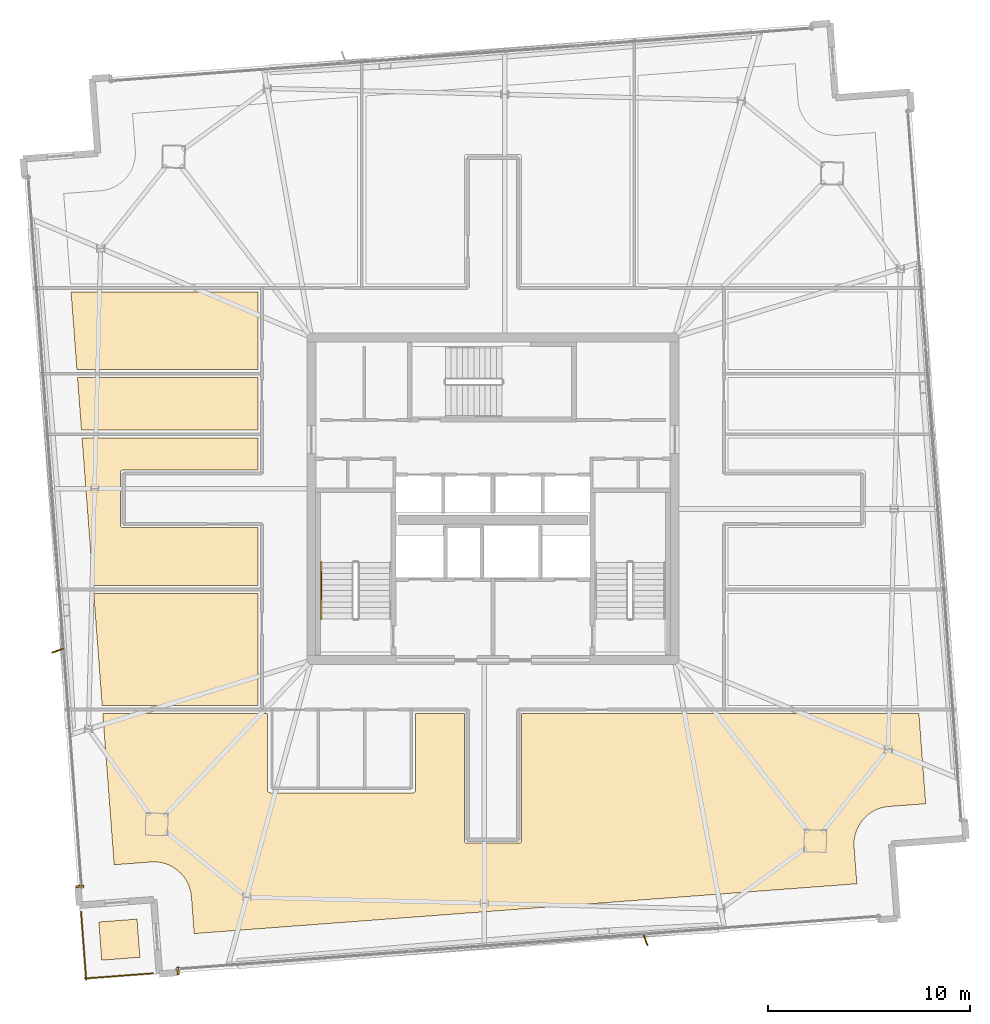
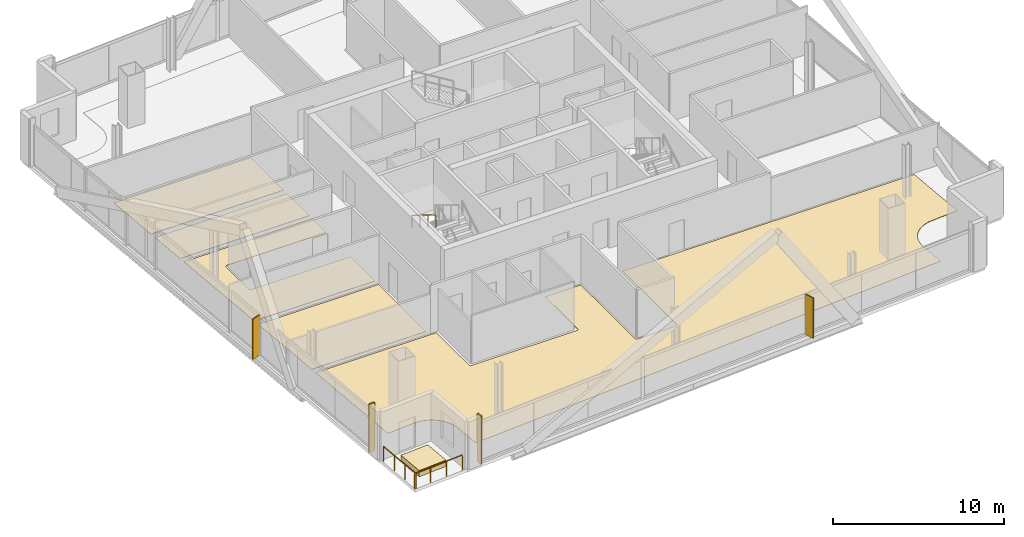
# One storey, part 21 of 23: 8 coverings, 3 railings, 2 shading devices.
"""IFC4 building model written with IfcOpenShell, lengths in metres."""

from ifc_helpers import new_model, si_unit, direction, frame, origin, origin_2d, place, context, subcontext, project, spatial, polyline, rectangle, outline, extrude, source, transform, mapped, material, layer, layer_set, type_object, element, save


model = new_model("IFC4")

# Units and contexts
model_context = context("Model", 3, precision=1e-05, world=origin(), true_north=direction((0.0, 1.0)))
body_context = subcontext(model_context, "Body", "Model", "MODEL_VIEW")
ifc_project = project(units=[si_unit("LENGTHUNIT", "METRE"), si_unit("AREAUNIT", "SQUARE_METRE"), si_unit("VOLUMEUNIT", "CUBIC_METRE"), si_unit("PLANEANGLEUNIT", "RADIAN"), si_unit("MASSUNIT", "GRAM", prefix="KILO")], contexts=[model_context])

# Site, building, storey
site_placement = place(None, origin())
site = spatial("IfcSite", under=ifc_project, at=site_placement, CompositionType="ELEMENT")
building_placement = place(site_placement, origin())
building = spatial("IfcBuilding", under=site, at=building_placement, Name="Haldenkirk Collegiate Tower", CompositionType="ELEMENT")
storey_placement = place(building_placement, frame((0.0, 0.0, 343.949951171875)))
storey = spatial("IfcBuildingStorey", under=building, at=storey_placement, Name="L87", CompositionType="ELEMENT", Elevation=343.949951171875)

# Coverings
ifc_material_1 = material(Name="Polished collegiate terrazzo", Category="concrete")
ifc_layer_1 = layer(ifc_material_1, 0.02490234375)
ifc_layer_set_1 = layer_set([ifc_layer_1], Name="Polished collegiate terrazzo")
covering_type_1 = type_object("IfcCoveringType", Name="COV-FLOOR-TERRAZZO", PredefinedType="FLOORING", material=ifc_layer_set_1)
covering_1_placement = place(storey_placement, origin())
element("IfcCovering", 1, at=covering_1_placement, inside=storey, type_object=covering_type_1, Name="L87 academic room finish 06", PredefinedType="FLOORING", context=body_context, shape_type="SweptSolid", body=[
    extrude(outline(polyline([(17.64990234375, 27.419921875), (17.63818359375, 27.41943359375), (17.626708984375, 27.417724609375), (17.615234375, 27.414794921875), (17.60400390625, 27.410888671875), (17.593505859375, 27.40576171875), (17.583251953125, 27.39990234375), (17.573974609375, 27.392822265625), (17.565185546875, 27.385009765625), (17.55712890625, 27.376220703125), (17.55029296875, 27.36669921875), (17.544189453125, 27.356689453125), (17.5390625, 27.345947265625), (17.53515625, 27.334716796875), (17.5322265625, 27.323486328125), (17.530517578125, 27.311767578125), (17.530029296875, 27.300048828125), (17.530029296875, 24.699951171875), (17.530517578125, 24.688232421875), (17.5322265625, 24.676513671875), (17.53515625, 24.665283203125), (17.5390625, 24.654052734375), (17.544189453125, 24.643310546875), (17.55029296875, 24.63330078125), (17.55712890625, 24.623779296875), (17.565185546875, 24.614990234375), (17.573974609375, 24.607177734375), (17.583251953125, 24.60009765625), (17.593505859375, 24.59423828125), (17.60400390625, 24.589111328125), (17.615234375, 24.585205078125), (17.626708984375, 24.582275390625), (17.63818359375, 24.58056640625), (17.64990234375, 24.580078125), (24.35009765625, 24.580078125), (24.35009765625, 21.699951171875), (16.1865234375, 21.699951171875), (15.6376953125, 29.0), (24.35009765625, 29.0), (24.35009765625, 27.419921875), (17.64990234375, 27.419921875)])), origin(), (0.0, 0.0, 1.0), 0.025146484375),
])
covering_2_placement = place(storey_placement, origin())
element("IfcCovering", 2, at=covering_2_placement, inside=storey, type_object=covering_type_1, Name="L87 academic room finish 08", PredefinedType="FLOORING", context=body_context, shape_type="SweptSolid", body=[
    extrude(outline(polyline([(15.092529296875, 36.25), (24.35009765625, 36.25), (24.35009765625, 32.39990234375), (15.382080078125, 32.39990234375), (15.092529296875, 36.25)])), origin(), (0.0, 0.0, 1.0), 0.025146484375),
])
ifc_material_2 = material(Name="Engineered collegiate oak acoustic flooring", Category="wood")
ifc_layer_2 = layer(ifc_material_2, 0.02197265625)
ifc_layer_set_2 = layer_set([ifc_layer_2], Name="Engineered collegiate oak acoustic flooring")
covering_type_2 = type_object("IfcCoveringType", Name="COV-FLOOR-TIMBER", PredefinedType="FLOORING", material=ifc_layer_set_2)
covering_3_placement = place(storey_placement, origin())
element("IfcCovering", 3, at=covering_3_placement, inside=storey, type_object=covering_type_2, Name="L87 academic room finish 01", PredefinedType="FLOORING", context=body_context, shape_type="SweptSolid", body=[
    extrude(outline(polyline([(54.92626953125, 10.555419921875), (54.915771484375, 10.550048828125), (54.766357421875, 10.465087890625), (54.756591796875, 10.458984375), (54.6162109375, 10.35986328125), (54.60693359375, 10.3525390625), (54.47705078125, 10.239990234375), (54.468505859375, 10.23193359375), (54.350341796875, 10.107421875), (54.342529296875, 10.0986328125), (54.237060546875, 9.962890625), (54.230224609375, 9.953369140625), (54.138671875, 9.80810546875), (54.1328125, 9.7978515625), (54.055908203125, 9.644287109375), (54.051025390625, 9.633544921875), (53.989501953125, 9.473388671875), (53.98583984375, 9.462158203125), (53.940185546875, 9.296630859375), (53.937744140625, 9.284912109375), (53.90869140625, 9.11572265625), (53.9072265625, 9.104248046875), (53.894775390625, 8.932861328125), (53.89453125, 8.921142578125), (53.89892578125, 8.74951171875), (53.899169921875, 8.743408203125), (54.036376953125, 6.918701171875), (21.194091796875, 4.44921875), (21.056884765625, 6.274169921875), (21.056396484375, 6.280029296875), (21.03515625, 6.450439453125), (21.032958984375, 6.4619140625), (20.9951171875, 6.62939453125), (20.991943359375, 6.640869140625), (20.93798828125, 6.8037109375), (20.93359375, 6.814697265625), (20.86376953125, 6.9716796875), (20.8583984375, 6.982177734375), (20.773681640625, 7.131591796875), (20.767333984375, 7.141357421875), (20.668212890625, 7.28173828125), (20.660888671875, 7.291015625), (20.548583984375, 7.4208984375), (20.54052734375, 7.429443359375), (20.416015625, 7.547607421875), (20.406982421875, 7.555419921875), (20.271484375, 7.660888671875), (20.261962890625, 7.66748046875), (20.11669921875, 7.75927734375), (20.1064453125, 7.76513671875), (19.952880859375, 7.842041015625), (19.942138671875, 7.8466796875), (19.78173828125, 7.908447265625), (19.7705078125, 7.912109375), (19.60498046875, 7.95751953125), (19.593505859375, 7.960205078125), (19.42431640625, 7.9892578125), (19.41259765625, 7.99072265625), (19.2412109375, 8.003173828125), (19.2294921875, 8.00341796875), (19.057861328125, 7.9990234375), (19.052001953125, 7.998779296875), (17.227294921875, 7.861328125), (16.6640625, 15.35009765625), (24.830078125, 15.35009765625), (24.830078125, 11.550048828125), (24.83056640625, 11.5380859375), (24.832275390625, 11.526611328125), (24.835205078125, 11.51513671875), (24.839111328125, 11.504150390625), (24.84423828125, 11.493408203125), (24.85009765625, 11.4833984375), (24.857177734375, 11.473876953125), (24.864990234375, 11.465087890625), (24.873779296875, 11.457275390625), (24.88330078125, 11.4501953125), (24.893310546875, 11.444091796875), (24.904052734375, 11.439208984375), (24.915283203125, 11.435302734375), (24.926513671875, 11.432373046875), (24.938232421875, 11.4306640625), (24.949951171875, 11.429931640625), (32.050048828125, 11.429931640625), (32.061767578125, 11.4306640625), (32.073486328125, 11.432373046875), (32.084716796875, 11.435302734375), (32.095947265625, 11.439208984375), (32.106689453125, 11.444091796875), (32.11669921875, 11.4501953125), (32.126220703125, 11.457275390625), (32.135009765625, 11.465087890625), (32.142822265625, 11.473876953125), (32.14990234375, 11.4833984375), (32.15576171875, 11.493408203125), (32.160888671875, 11.504150390625), (32.164794921875, 11.51513671875), (32.167724609375, 11.526611328125), (32.16943359375, 11.5380859375), (32.169921875, 11.550048828125), (32.169921875, 15.35009765625), (34.580078125, 15.35009765625), (34.580078125, 9.050048828125), (34.58056640625, 9.0380859375), (34.582275390625, 9.026611328125), (34.585205078125, 9.01513671875), (34.589111328125, 9.004150390625), (34.59423828125, 8.993408203125), (34.60009765625, 8.9833984375), (34.607177734375, 8.973876953125), (34.614990234375, 8.965087890625), (34.623779296875, 8.957275390625), (34.63330078125, 8.9501953125), (34.643310546875, 8.944091796875), (34.654052734375, 8.939208984375), (34.665283203125, 8.935302734375), (34.676513671875, 8.932373046875), (34.688232421875, 8.9306640625), (34.699951171875, 8.929931640625), (37.300048828125, 8.929931640625), (37.311767578125, 8.9306640625), (37.323486328125, 8.932373046875), (37.334716796875, 8.935302734375), (37.345947265625, 8.939208984375), (37.356689453125, 8.944091796875), (37.36669921875, 8.9501953125), (37.376220703125, 8.957275390625), (37.385009765625, 8.965087890625), (37.392822265625, 8.973876953125), (37.39990234375, 8.9833984375), (37.40576171875, 8.993408203125), (37.410888671875, 9.004150390625), (37.414794921875, 9.01513671875), (37.417724609375, 9.026611328125), (37.41943359375, 9.0380859375), (37.419921875, 9.050048828125), (37.419921875, 15.35009765625), (57.113037109375, 15.35009765625), (57.448486328125, 10.8857421875), (55.623779296875, 10.74853515625), (55.617919921875, 10.747802734375), (55.447509765625, 10.7265625), (55.435791015625, 10.724609375), (55.268310546875, 10.6865234375), (55.257080078125, 10.68359375), (55.093994140625, 10.62939453125), (55.0830078125, 10.625), (54.92626953125, 10.555419921875)])), origin(), (0.0, 0.0, 1.0), 0.02197265625),
])
covering_4_placement = place(storey_placement, origin())
element("IfcCovering", 4, at=covering_4_placement, inside=storey, type_object=covering_type_2, Name="L87 academic room finish 05", PredefinedType="FLOORING", context=body_context, shape_type="SweptSolid", body=[
    extrude(outline(polyline([(16.216796875, 21.300048828125), (24.35009765625, 21.300048828125), (24.35009765625, 15.75), (16.634033203125, 15.75), (16.216796875, 21.300048828125)])), origin(), (0.0, 0.0, 1.0), 0.02197265625),
])
covering_5_placement = place(storey_placement, origin())
element("IfcCovering", 5, at=covering_5_placement, inside=storey, type_object=covering_type_2, Name="L87 academic room finish 07", PredefinedType="FLOORING", context=body_context, shape_type="SweptSolid", body=[
    extrude(outline(polyline([(15.412109375, 32.0), (24.35009765625, 32.0), (24.35009765625, 29.39990234375), (15.607666015625, 29.39990234375), (15.412109375, 32.0)])), origin(), (0.0, 0.0, 1.0), 0.02197265625),
])
ifc_material_3 = material(Name="Precast concrete f'c 40 MPa", Category="concrete")
ifc_layer_3 = layer(ifc_material_3, 0.449951171875)
ifc_layer_set_3 = layer_set([ifc_layer_3], Name="Precast concrete f'c 40 MPa")
covering_type_3 = type_object("IfcCoveringType", Name="COV-PLANTER-450", PredefinedType="USERDEFINED", material=ifc_layer_set_3)
covering_6_placement = place(storey_placement, origin())
element("IfcCovering", 6, at=covering_6_placement, inside=storey, type_object=covering_type_3, Name="L87 planted garden planter bed", ObjectType="PLANTER", PredefinedType="USERDEFINED", context=body_context, shape_type="SweptSolid", body=[
    extrude(outline(polyline([(18.504638671875, 3.2744140625), (16.610107421875, 3.1318359375), (16.467529296875, 5.0263671875), (18.3623046875, 5.1689453125), (18.504638671875, 3.2744140625)])), origin(), (0.0, 0.0, 1.0), 0.449951171875),
])

# Railings
ifc_material_4 = material(Name="Painted architectural tubular steel", Category="steel")
railing_type_1 = type_object("IfcRailingType", Name="RLG-STAIR-HANDRAIL-900", PredefinedType="HANDRAIL", material=ifc_material_4)
railing_1_placement = place(storey_placement, frame((27.5, 22.85009765625, 2.04541015625)))
element("IfcRailing", 7, at=railing_1_placement, inside=storey, type_object=railing_type_1, Name="L87 ST-1 stair handrail 2", PredefinedType="HANDRAIL", context=body_context, shape_type="SweptSolid", body=[
    extrude(rectangle(XDim=0.048095703125, YDim=0.048095703125, at=origin_2d()), frame((0.0, 0.0, 0.8759765625), z_axis=(0.0, -0.854169791009, 0.51999420009), x_axis=(1.0, 0.0, 0.0)), (0.0, 0.0, 1.0), 3.278076171875),
    extrude(rectangle(XDim=0.0419921875, YDim=0.0419921875, at=origin_2d()), origin(), (0.0, 0.0, 1.0), 0.851806640625),
    extrude(rectangle(XDim=0.0419921875, YDim=0.0419921875, at=origin_2d()), frame((0.0, -0.933349609375, 0.568115234375)), (0.0, 0.0, 1.0), 0.851806640625),
    extrude(rectangle(XDim=0.0419921875, YDim=0.0419921875, at=origin_2d()), frame((0.0, -1.86669921875, 1.136474609375)), (0.0, 0.0, 1.0), 0.851806640625),
    extrude(rectangle(XDim=0.0419921875, YDim=0.0419921875, at=origin_2d()), frame((0.0, -2.800048828125, 1.70458984375)), (0.0, 0.0, 1.0), 0.851806640625),
])
ifc_material_5 = material(Name="Anodised architectural bronze aluminium", Category="aluminium")
railing_type_2 = type_object("IfcRailingType", Name="RLG-TERR-BALUSTRADE-1100", PredefinedType="BALUSTRADE", material=ifc_material_5)
railing_2_placement = place(storey_placement, frame((15.58642578125, 5.541748046875, 0.0)))
element("IfcRailing", 8, at=railing_2_placement, inside=storey, type_object=railing_type_2, Name="L87 terrace guard balustrade 3-1", PredefinedType="BALUSTRADE", context=body_context, shape_type="SweptSolid", body=[
    extrude(rectangle(XDim=0.048095703125, YDim=0.048095703125, at=origin_2d()), frame((0.0, 0.0, 1.076171875), z_axis=(0.074978499554, -0.997185150614, 0.0), x_axis=(0.997185150614, 0.074978499554, 0.0)), (0.0, 0.0, 1.0), 3.3798828125),
    extrude(rectangle(XDim=0.0419921875, YDim=0.0419921875, at=origin_2d()), origin(), (0.0, 0.0, 1.0), 1.052001953125),
    extrude(rectangle(XDim=0.0419921875, YDim=0.0419921875, at=origin_2d()), frame((0.08447265625, -1.12353515625, 0.0)), (0.0, 0.0, 1.0), 1.052001953125),
    extrude(rectangle(XDim=0.0419921875, YDim=0.0419921875, at=origin_2d()), frame((0.1689453125, -2.246826171875, 0.0)), (0.0, 0.0, 1.0), 1.052001953125),
    extrude(rectangle(XDim=0.0419921875, YDim=0.0419921875, at=origin_2d()), frame((0.25341796875, -3.370361328125, 0.0)), (0.0, 0.0, 1.0), 1.052001953125),
])
railing_3_placement = place(storey_placement, frame((15.775634765625, 2.2265625, 0.0)))
element("IfcRailing", 9, at=railing_3_placement, inside=storey, type_object=railing_type_2, Name="L87 terrace guard balustrade 4-1", PredefinedType="BALUSTRADE", context=body_context, shape_type="SweptSolid", body=[
    extrude(rectangle(XDim=0.048095703125, YDim=0.048095703125, at=origin_2d()), frame((0.0, 0.0, 1.076171875), z_axis=(0.997185150614, 0.074978499554, 0.0), x_axis=(-0.074978499554, 0.997185150614, 0.0)), (0.0, 0.0, 1.0), 3.3798828125),
    extrude(rectangle(XDim=0.0419921875, YDim=0.0419921875, at=origin_2d()), origin(), (0.0, 0.0, 1.0), 1.052001953125),
    extrude(rectangle(XDim=0.0419921875, YDim=0.0419921875, at=origin_2d()), frame((1.12353515625, 0.08447265625, 0.0)), (0.0, 0.0, 1.0), 1.052001953125),
    extrude(rectangle(XDim=0.0419921875, YDim=0.0419921875, at=origin_2d()), frame((2.246826171875, 0.1689453125, 0.0)), (0.0, 0.0, 1.0), 1.052001953125),
    extrude(rectangle(XDim=0.0419921875, YDim=0.0419921875, at=origin_2d()), frame((3.370361328125, 0.25341796875, 0.0)), (0.0, 0.0, 1.0), 1.052001953125),
])

# Coverings
ifc_layer_4 = layer(ifc_material_5, 0.06005859375)
ifc_layer_set_4 = layer_set([ifc_layer_4], Name="Anodised architectural bronze aluminium")
covering_type_4 = type_object("IfcCoveringType", Name="COV-CLAD-BRONZE-60", PredefinedType="CLADDING", material=ifc_layer_set_4)
shared_shape_1 = source(origin(), body_context, "Body", "SweptSolid", [
    extrude(rectangle(XDim=0.10009765625, YDim=0.3798828125, at=origin_2d()), origin(), (0.0, 0.0, 1.0), 3.429931640625),
])
for number, where, z_axis, x_axis, name in (
    (10, (15.522705078125, 6.79052734375, 0.0), (0.0, 0.0, 1.0), (-0.074978726826, 0.997185133525, 0.0), "L87 recessed curtain-wall bronze jamb closure NJL"),
    (11, (20.390380859375, 2.603759765625, 0.0), (0.0, 0.0, 1.0), (-0.997185133525, -0.074978726826, 0.0), "L87 recessed curtain-wall bronze jamb closure WJR"),
):
    element("IfcCovering", number, at=place(storey_placement, frame(where, z_axis=z_axis, x_axis=x_axis)), inside=storey, type_object=covering_type_4, Name=name, PredefinedType="CLADDING", context=body_context, shape_type="MappedRepresentation", body=[
        mapped(shared_shape_1, transform((0.0, 0.0, 0.0), x_axis=(1.0, 0.0, 0.0), y_axis=(0.0, 1.0, 0.0), z_axis=(0.0, 0.0, 1.0), scale=1.0)),
    ])

# Shading devices
ifc_layer_5 = layer(ifc_material_5, 0.06494140625)
ifc_layer_set_5 = layer_set([ifc_layer_5], Name="Anodised architectural bronze aluminium")
shading_device_type = type_object("IfcShadingDeviceType", Name="SHD-FIN-BRONZE-620", PredefinedType="USERDEFINED", material=ifc_layer_set_5)
shared_shape_2 = source(origin(), body_context, "Body", "SweptSolid", [
    extrude(rectangle(XDim=0.6201171875, YDim=0.06494140625, at=origin_2d()), origin(), (0.0, 0.0, 1.0), 2.887939453125),
])
for number, where, z_axis, x_axis, name in (
    (12, (14.438232421875, 18.478759765625, 0.0), (0.0, 0.0, 1.0), (-0.937888934612, -0.346935651573, 0.0), "L87 folded bronze solar fin 1"),
    (13, (43.560302734375, 4.140380859375, 0.0), (0.0, 0.0, 1.0), (0.346935651573, -0.937888934612, 0.0), "L87 folded bronze solar fin 1"),
):
    element("IfcShadingDevice", number, at=place(storey_placement, frame(where, z_axis=z_axis, x_axis=x_axis)), inside=storey, type_object=shading_device_type, Name=name, ObjectType="FIN", PredefinedType="USERDEFINED", context=body_context, shape_type="MappedRepresentation", body=[
        mapped(shared_shape_2, transform((0.0, 0.0, 0.0), x_axis=(1.0, 0.0, 0.0), y_axis=(0.0, 1.0, 0.0), z_axis=(0.0, 0.0, 1.0), scale=1.0)),
    ])

save(model, "model.ifc")
